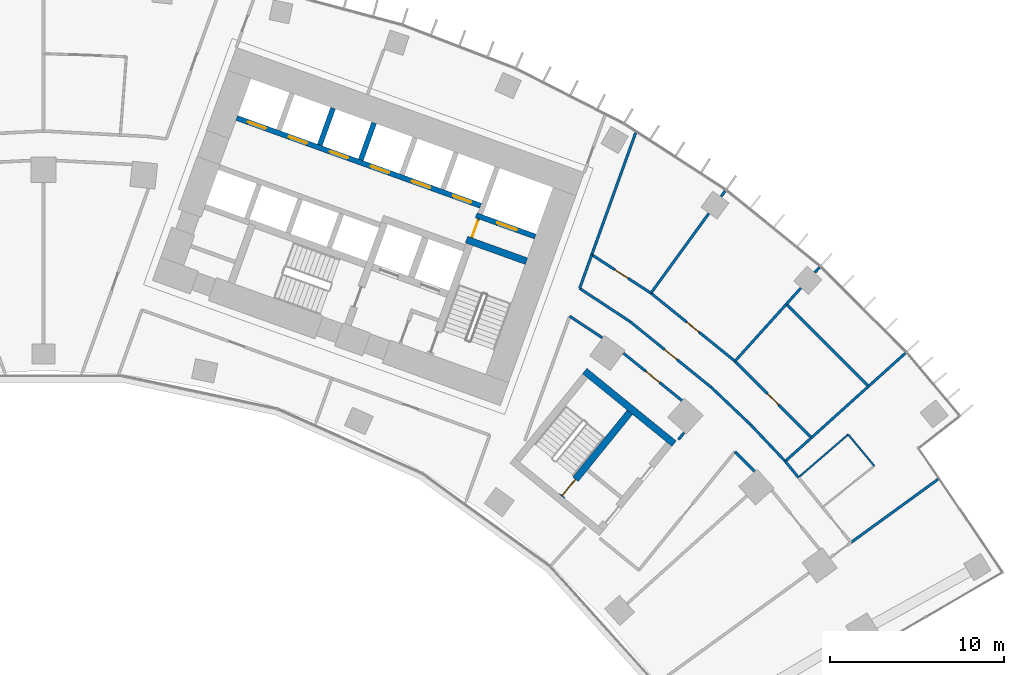
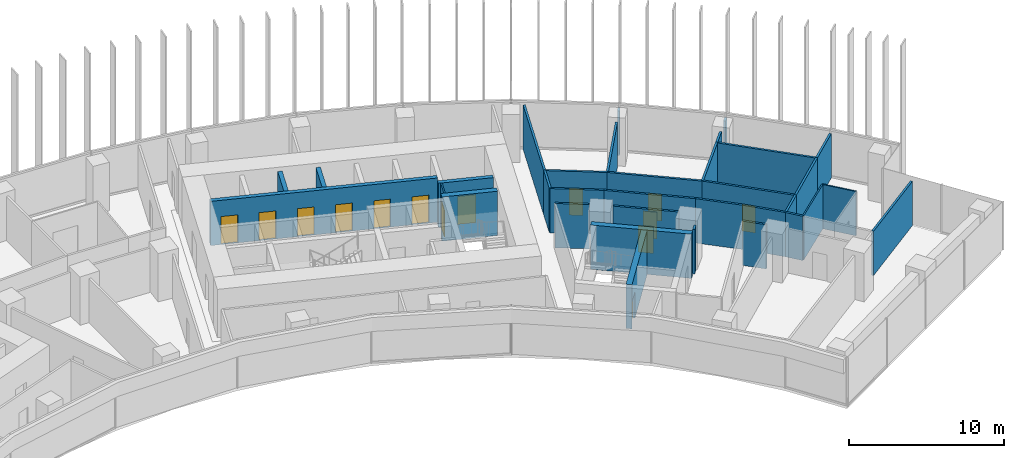
# One storey, part 19 of 22: 34 walls, 14 doors, 14 openings.
"""IFC4 building model written with IfcOpenShell, lengths in metres."""

from ifc_helpers import new_model, si_unit, direction, frame, frame_2d, origin, place, context, subcontext, project, spatial, rectangle, extrude, material, layer, layer_set, type_object, element, fill, save


model = new_model("IFC4")

# Units and contexts
model_context = context("Model", 3, precision=1e-05, world=origin(), true_north=direction((0.0, 1.0)))
body_context = subcontext(model_context, "Body", "Model", "MODEL_VIEW")
ifc_project = project(units=[si_unit("LENGTHUNIT", "METRE"), si_unit("AREAUNIT", "SQUARE_METRE"), si_unit("VOLUMEUNIT", "CUBIC_METRE"), si_unit("PLANEANGLEUNIT", "RADIAN"), si_unit("MASSUNIT", "GRAM", prefix="KILO")], contexts=[model_context])

# Site, building, storey
site_placement = place(None, origin())
site = spatial("IfcSite", under=ifc_project, at=site_placement, CompositionType="ELEMENT")
building_placement = place(site_placement, origin())
building = spatial("IfcBuilding", under=site, at=building_placement, Name="Stone Belt Terrace Tower", CompositionType="ELEMENT")
storey_placement = place(building_placement, frame((0.0, 0.0, 109.800048828125)))
storey = spatial("IfcBuildingStorey", under=building, at=storey_placement, Name="L26", CompositionType="ELEMENT", Elevation=109.800048828125)

# Wall, opening, door
ifc_material_1 = material(Name="Plasterboard partition")
ifc_layer_1 = layer(ifc_material_1, 0.10009765625)
ifc_layer_set_1 = layer_set([ifc_layer_1], Name="Core partition 100")
wall_type_1 = type_object("IfcWallType", Name="Core partition 100", PredefinedType="PARTITIONING", material=ifc_layer_set_1)
wall_1_placement = place(storey_placement, frame((24.555908203125, 51.10400390625, 0.0), z_axis=(0.0, 0.0, 1.0), x_axis=(0.338621735342, 0.94092258999, 0.0)))
wall_1 = element("IfcWall", 1, at=wall_1_placement, inside=storey, type_object=wall_type_1, Name="Core B wall", PredefinedType="PARTITIONING", context=body_context, shape_type="SweptSolid", body=[
    extrude(rectangle(XDim=1.14990234375, YDim=0.10009765625, at=frame_2d((0.574951171875, 0.0))), origin(), (0.0, 0.0, 1.0), 3.47998046875),
])
opening_1_placement = place(wall_1_placement, frame((0.050048828125, 0.0, 0.0)))
opening_1 = element("IfcOpeningElement", 2, at=opening_1_placement, cuts=wall_1, Name="Opening L26-C10", PredefinedType="OPENING", context=body_context, shape_type="SweptSolid", body=[
    extrude(rectangle(XDim=1.0, YDim=2.10009765625, at=frame_2d((0.5, 1.050048828125))), frame((0.0, 0.06005859375, 0.0), z_axis=(0.0, -1.0, 0.0), x_axis=(1.0, 0.0, 0.0)), (0.0, 0.0, 1.0), 0.1201171875),
])
ifc_material_2 = material(Name="Timber door leaf", Category="wood")
door_type_1 = type_object("IfcDoorType", Name="Core room door 1000", OperationType="SINGLE_SWING_LEFT", PredefinedType="DOOR", material=ifc_material_2)
door_1_placement = place(opening_1_placement, origin())
door_1 = element("IfcDoor", 3, at=door_1_placement, inside=storey, type_object=door_type_1, Name="Service lift lobby door core B", OperationType="SINGLE_SWING_RIGHT", OverallHeight=2.10009765625, OverallWidth=1.0, PredefinedType="DOOR", context=body_context, shape_type="SweptSolid", body=[
    extrude(rectangle(XDim=1.0, YDim=2.10009765625, at=frame_2d((0.5, 1.050048828125))), frame((0.0, 0.02490234375, 0.0), z_axis=(0.0, -1.0, 0.0), x_axis=(1.0, 0.0, 0.0)), (0.0, 0.0, 1.0), 0.050048828125),
])
fill(opening_1, door_1)

ifc_material_3 = material(Name="Concrete B80", Category="concrete")
ifc_layer_2 = layer(ifc_material_3, 0.300048828125)
ifc_layer_set_2 = layer_set([ifc_layer_2], Name="Lift shaft wall 300")
wall_type_2 = type_object("IfcWallType", Name="Lift shaft wall 300", PredefinedType="SHEAR", material=ifc_layer_set_2)
wall_2_placement = place(storey_placement, frame((28.195068359375, 51.17578125, 0.0), z_axis=(0.0, 0.0, 1.0), x_axis=(-0.940901243567, 0.338681044427, 0.0)))
wall_2 = element("IfcWall", 4, at=wall_2_placement, inside=storey, type_object=wall_type_2, Name="Core B wall", PredefinedType="SHEAR", context=body_context, shape_type="SweptSolid", body=[
    extrude(rectangle(XDim=3.599853515625, YDim=0.300048828125, at=frame_2d((1.7998046875, 0.0))), origin(), (0.0, 0.0, 1.0), 3.47998046875),
])
opening_2_placement = place(wall_2_placement, frame((1.1201171875, 0.0, 0.0)))
opening_2 = element("IfcOpeningElement", 5, at=opening_2_placement, cuts=wall_2, Name="Opening L26-LD18", PredefinedType="OPENING", context=body_context, shape_type="SweptSolid", body=[
    extrude(rectangle(XDim=1.199951171875, YDim=2.199951171875, at=frame_2d((0.60009765625, 1.10009765625))), frame((0.0, 0.159912109375, 0.0), z_axis=(0.0, -1.0, 0.0), x_axis=(1.0, 0.0, 0.0)), (0.0, 0.0, 1.0), 0.320068359375),
])
ifc_material_4 = material(Name="Stainless steel door leaf", Category="steel")
door_type_2 = type_object("IfcDoorType", Name="Landing door 1200", OperationType="SLIDING_TO_LEFT", PredefinedType="DOOR", material=ifc_material_4)
door_2_placement = place(opening_2_placement, origin())
door_2 = element("IfcDoor", 6, at=door_2_placement, inside=storey, type_object=door_type_2, Name="Landing door SV1 core B", OperationType="SLIDING_TO_LEFT", OverallHeight=2.199951171875, OverallWidth=1.199951171875, PredefinedType="DOOR", context=body_context, shape_type="SweptSolid", body=[
    extrude(rectangle(XDim=1.199951171875, YDim=2.199951171875, at=frame_2d((0.60009765625, 1.10009765625))), frame((0.0, 0.02490234375, 0.0), z_axis=(0.0, -1.0, 0.0), x_axis=(1.0, 0.0, 0.0)), (0.0, 0.0, 1.0), 0.050048828125),
])
fill(opening_2, door_2)

# Wall, openings, doors
wall_3_placement = place(storey_placement, frame((25.05810546875, 52.9423828125, 0.0), z_axis=(0.0, 0.0, 1.0), x_axis=(-0.940918215764, 0.338633889685, 0.0)))
wall_3 = element("IfcWall", 7, at=wall_3_placement, inside=storey, type_object=wall_type_2, Name="Core B wall", PredefinedType="SHEAR", context=body_context, shape_type="SweptSolid", body=[
    extrude(rectangle(XDim=14.850341796875, YDim=0.300048828125, at=frame_2d((7.42529296875, 0.0))), origin(), (0.0, 0.0, 1.0), 3.47998046875),
])
opening_3_placement = place(wall_3_placement, frame((0.570068359375, 0.0, 0.0)))
opening_3 = element("IfcOpeningElement", 8, at=opening_3_placement, cuts=wall_3, Name="Opening L26-LD10", PredefinedType="OPENING", context=body_context, shape_type="SweptSolid", body=[
    extrude(rectangle(XDim=1.10009765625, YDim=2.199951171875, at=frame_2d((0.550048828125, 1.10009765625))), frame((0.0, 0.159912109375, 0.0), z_axis=(0.0, -1.0, 0.0), x_axis=(1.0, 0.0, 0.0)), (0.0, 0.0, 1.0), 0.320068359375),
])
opening_4_placement = place(wall_3_placement, frame((3.070068359375, 0.0, 0.0)))
opening_4 = element("IfcOpeningElement", 9, at=opening_4_placement, cuts=wall_3, Name="Opening L26-LD11", PredefinedType="OPENING", context=body_context, shape_type="SweptSolid", body=[
    extrude(rectangle(XDim=1.10009765625, YDim=2.199951171875, at=frame_2d((0.550048828125, 1.10009765625))), frame((0.0, 0.159912109375, 0.0), z_axis=(0.0, -1.0, 0.0), x_axis=(1.0, 0.0, 0.0)), (0.0, 0.0, 1.0), 0.320068359375),
])
opening_5_placement = place(wall_3_placement, frame((5.570068359375, 0.0, 0.0)))
opening_5 = element("IfcOpeningElement", 10, at=opening_5_placement, cuts=wall_3, Name="Opening L26-LD12", PredefinedType="OPENING", context=body_context, shape_type="SweptSolid", body=[
    extrude(rectangle(XDim=1.10009765625, YDim=2.199951171875, at=frame_2d((0.550048828125, 1.10009765625))), frame((0.0, 0.159912109375, 0.0), z_axis=(0.0, -1.0, 0.0), x_axis=(1.0, 0.0, 0.0)), (0.0, 0.0, 1.0), 0.320068359375),
])
opening_6_placement = place(wall_3_placement, frame((8.070068359375, 0.0, 0.0)))
opening_6 = element("IfcOpeningElement", 11, at=opening_6_placement, cuts=wall_3, Name="Opening L26-LD13", PredefinedType="OPENING", context=body_context, shape_type="SweptSolid", body=[
    extrude(rectangle(XDim=1.10009765625, YDim=2.199951171875, at=frame_2d((0.550048828125, 1.10009765625))), frame((0.0, 0.159912109375, 0.0), z_axis=(0.0, -1.0, 0.0), x_axis=(1.0, 0.0, 0.0)), (0.0, 0.0, 1.0), 0.320068359375),
])
opening_7_placement = place(wall_3_placement, frame((10.570068359375, 0.0, 0.0)))
opening_7 = element("IfcOpeningElement", 12, at=opening_7_placement, cuts=wall_3, Name="Opening L26-LD14", PredefinedType="OPENING", context=body_context, shape_type="SweptSolid", body=[
    extrude(rectangle(XDim=1.10009765625, YDim=2.199951171875, at=frame_2d((0.550048828125, 1.10009765625))), frame((0.0, 0.159912109375, 0.0), z_axis=(0.0, -1.0, 0.0), x_axis=(1.0, 0.0, 0.0)), (0.0, 0.0, 1.0), 0.320068359375),
])
opening_8_placement = place(wall_3_placement, frame((13.070068359375, 0.0, 0.0)))
opening_8 = element("IfcOpeningElement", 13, at=opening_8_placement, cuts=wall_3, Name="Opening L26-LD15", PredefinedType="OPENING", context=body_context, shape_type="SweptSolid", body=[
    extrude(rectangle(XDim=1.10009765625, YDim=2.199951171875, at=frame_2d((0.550048828125, 1.10009765625))), frame((0.0, 0.159912109375, 0.0), z_axis=(0.0, -1.0, 0.0), x_axis=(1.0, 0.0, 0.0)), (0.0, 0.0, 1.0), 0.320068359375),
])
door_type_3 = type_object("IfcDoorType", Name="Landing door 1100", OperationType="SLIDING_TO_LEFT", PredefinedType="DOOR", material=ifc_material_4)
door_3_placement = place(opening_3_placement, origin())
door_3 = element("IfcDoor", 14, at=door_3_placement, inside=storey, type_object=door_type_3, Name="Landing door LR1 core B", OperationType="SLIDING_TO_LEFT", OverallHeight=2.199951171875, OverallWidth=1.10009765625, PredefinedType="DOOR", context=body_context, shape_type="SweptSolid", body=[
    extrude(rectangle(XDim=1.10009765625, YDim=2.199951171875, at=frame_2d((0.550048828125, 1.10009765625))), frame((0.0, 0.02490234375, 0.0), z_axis=(0.0, -1.0, 0.0), x_axis=(1.0, 0.0, 0.0)), (0.0, 0.0, 1.0), 0.050048828125),
])
fill(opening_3, door_3)
door_4_placement = place(opening_4_placement, origin())
door_4 = element("IfcDoor", 15, at=door_4_placement, inside=storey, type_object=door_type_3, Name="Landing door LR2 core B", OperationType="SLIDING_TO_LEFT", OverallHeight=2.199951171875, OverallWidth=1.10009765625, PredefinedType="DOOR", context=body_context, shape_type="SweptSolid", body=[
    extrude(rectangle(XDim=1.10009765625, YDim=2.199951171875, at=frame_2d((0.550048828125, 1.10009765625))), frame((0.0, 0.02490234375, 0.0), z_axis=(0.0, -1.0, 0.0), x_axis=(1.0, 0.0, 0.0)), (0.0, 0.0, 1.0), 0.050048828125),
])
fill(opening_4, door_4)
door_5_placement = place(opening_5_placement, origin())
door_5 = element("IfcDoor", 16, at=door_5_placement, inside=storey, type_object=door_type_3, Name="Landing door LR3 core B", OperationType="SLIDING_TO_LEFT", OverallHeight=2.199951171875, OverallWidth=1.10009765625, PredefinedType="DOOR", context=body_context, shape_type="SweptSolid", body=[
    extrude(rectangle(XDim=1.10009765625, YDim=2.199951171875, at=frame_2d((0.550048828125, 1.10009765625))), frame((0.0, 0.02490234375, 0.0), z_axis=(0.0, -1.0, 0.0), x_axis=(1.0, 0.0, 0.0)), (0.0, 0.0, 1.0), 0.050048828125),
])
fill(opening_5, door_5)
door_6_placement = place(opening_6_placement, origin())
door_6 = element("IfcDoor", 17, at=door_6_placement, inside=storey, type_object=door_type_3, Name="Landing door LR4 core B", OperationType="SLIDING_TO_LEFT", OverallHeight=2.199951171875, OverallWidth=1.10009765625, PredefinedType="DOOR", context=body_context, shape_type="SweptSolid", body=[
    extrude(rectangle(XDim=1.10009765625, YDim=2.199951171875, at=frame_2d((0.550048828125, 1.10009765625))), frame((0.0, 0.02490234375, 0.0), z_axis=(0.0, -1.0, 0.0), x_axis=(1.0, 0.0, 0.0)), (0.0, 0.0, 1.0), 0.050048828125),
])
fill(opening_6, door_6)
door_7_placement = place(opening_7_placement, origin())
door_7 = element("IfcDoor", 18, at=door_7_placement, inside=storey, type_object=door_type_3, Name="Landing door LR5 core B", OperationType="SLIDING_TO_LEFT", OverallHeight=2.199951171875, OverallWidth=1.10009765625, PredefinedType="DOOR", context=body_context, shape_type="SweptSolid", body=[
    extrude(rectangle(XDim=1.10009765625, YDim=2.199951171875, at=frame_2d((0.550048828125, 1.10009765625))), frame((0.0, 0.02490234375, 0.0), z_axis=(0.0, -1.0, 0.0), x_axis=(1.0, 0.0, 0.0)), (0.0, 0.0, 1.0), 0.050048828125),
])
fill(opening_7, door_7)
door_8_placement = place(opening_8_placement, origin())
door_8 = element("IfcDoor", 19, at=door_8_placement, inside=storey, type_object=door_type_3, Name="Landing door LR6 core B", OperationType="SLIDING_TO_LEFT", OverallHeight=2.199951171875, OverallWidth=1.10009765625, PredefinedType="DOOR", context=body_context, shape_type="SweptSolid", body=[
    extrude(rectangle(XDim=1.10009765625, YDim=2.199951171875, at=frame_2d((0.550048828125, 1.10009765625))), frame((0.0, 0.02490234375, 0.0), z_axis=(0.0, -1.0, 0.0), x_axis=(1.0, 0.0, 0.0)), (0.0, 0.0, 1.0), 0.050048828125),
])
fill(opening_8, door_8)

# Walls
wall_4_placement = place(storey_placement, frame((18.193115234375, 55.572509765625, 0.0), z_axis=(0.0, 0.0, 1.0), x_axis=(0.338535034312, 0.940953787677, 0.0)))
element("IfcWall", 20, at=wall_4_placement, inside=storey, type_object=wall_type_2, Name="Core B wall", PredefinedType="SHEAR", context=body_context, shape_type="SweptSolid", body=[
    extrude(rectangle(XDim=2.25, YDim=0.300048828125, at=frame_2d((1.125, 0.0))), origin(), (0.0, 0.0, 1.0), 3.47998046875),
])
wall_5_placement = place(storey_placement, frame((15.8408203125, 56.419189453125, 0.0), z_axis=(0.0, 0.0, 1.0), x_axis=(0.338569601369, 0.940941350472, 0.0)))
element("IfcWall", 21, at=wall_5_placement, inside=storey, type_object=wall_type_2, Name="Core B wall", PredefinedType="SHEAR", context=body_context, shape_type="SweptSolid", body=[
    extrude(rectangle(XDim=2.249755859375, YDim=0.300048828125, at=frame_2d((1.125, 0.0))), origin(), (0.0, 0.0, 1.0), 3.47998046875),
])
ifc_material_5 = material(Name="Gypsum board partition")
ifc_layer_3 = layer(ifc_material_5, 0.10009765625)
ifc_layer_set_3 = layer_set([ifc_layer_3], Name="PARTITION 100")
wall_type_3 = type_object("IfcWallType", Name="PARTITION 100", PredefinedType="PARTITIONING", material=ifc_layer_set_3)
wall_6_placement = place(storey_placement, frame((47.6259765625, 38.029052734375, 0.0), z_axis=(0.0, 0.0, 1.0), x_axis=(-0.638805581323, 0.769368201364, 0.0)))
element("IfcWall", 22, at=wall_6_placement, inside=storey, type_object=wall_type_3, Name="L26/wall/i081", PredefinedType="PARTITIONING", context=body_context, shape_type="SweptSolid", body=[
    extrude(rectangle(XDim=2.33544921875, YDim=0.10009765625, at=frame_2d((1.167724609375, 0.0))), origin(), (0.0, 0.0, 1.0), 3.47998046875),
])
wall_7_placement = place(storey_placement, frame((46.134033203125, 39.825927734375, 0.0), z_axis=(0.0, 0.0, 1.0), x_axis=(-0.757058777307, -0.653346774464, 0.0)))
element("IfcWall", 23, at=wall_7_placement, inside=storey, type_object=wall_type_3, Name="L26/wall/i082", PredefinedType="PARTITIONING", context=body_context, shape_type="SweptSolid", body=[
    extrude(rectangle(XDim=3.771240234375, YDim=0.10009765625, at=frame_2d((1.8857421875, 0.0))), origin(), (0.0, 0.0, 1.0), 3.47998046875),
])
ifc_layer_4 = layer(ifc_material_5, 0.14990234375)
ifc_layer_set_4 = layer_set([ifc_layer_4], Name="PARTITION 150 EI 60")
wall_type_4 = type_object("IfcWallType", Name="PARTITION 150 EI 60", PredefinedType="PARTITIONING", material=ifc_layer_set_4)
wall_8_placement = place(storey_placement, frame((31.43603515625, 50.139892578125, 0.0), z_axis=(0.0, 0.0, 1.0), x_axis=(-0.338522672426, -0.940958235127, 0.0)))
element("IfcWall", 24, at=wall_8_placement, inside=storey, type_object=wall_type_4, Name="L26/wall/i022", PredefinedType="PARTITIONING", context=body_context, shape_type="SweptSolid", body=[
    extrude(rectangle(XDim=2.064697265625, YDim=0.14990234375, at=frame_2d((1.0322265625, 0.0))), origin(), (0.0, 0.0, 1.0), 3.47998046875),
])
wall_9_placement = place(storey_placement, frame((33.951904296875, 57.131103515625, 0.0), z_axis=(0.0, 0.0, 1.0), x_axis=(-0.338585885873, -0.940935490822, 0.0)))
element("IfcWall", 25, at=wall_9_placement, inside=storey, type_object=wall_type_4, Name="L26/wall/i023", PredefinedType="PARTITIONING", context=body_context, shape_type="SweptSolid", body=[
    extrude(rectangle(XDim=7.44287109375, YDim=0.14990234375, at=frame_2d((3.721435546875, 0.0))), origin(), (0.0, 0.0, 1.0), 3.47998046875),
])
wall_10_placement = place(storey_placement, frame((46.291015625, 33.632080078125, 0.0), z_axis=(0.0, 0.0, 1.0), x_axis=(0.809007988274, 0.587797647927, 0.0)))
element("IfcWall", 26, at=wall_10_placement, inside=storey, type_object=wall_type_4, Name="L26/wall/i052", PredefinedType="PARTITIONING", context=body_context, shape_type="SweptSolid", body=[
    extrude(rectangle(XDim=6.171630859375, YDim=0.14990234375, at=frame_2d((3.0859375, 0.0))), origin(), (0.0, 0.0, 1.0), 3.47998046875),
])

# Wall, opening, door
wall_11_placement = place(storey_placement, frame((36.599365234375, 41.77587890625, 0.0), z_axis=(0.0, 0.0, 1.0), x_axis=(-0.777153738144, 0.62931078752, 0.0)))
wall_11 = element("IfcWall", 27, at=wall_11_placement, inside=storey, type_object=wall_type_4, Name="L26/wall/i053", PredefinedType="PARTITIONING", context=body_context, shape_type="SweptSolid", body=[
    extrude(rectangle(XDim=4.30517578125, YDim=0.14990234375, at=frame_2d((2.152587890625, 0.0))), origin(), (0.0, 0.0, 1.0), 3.47998046875),
])
opening_9_placement = place(wall_11_placement, frame((1.652587890625, 0.0, 0.0)))
opening_9 = element("IfcOpeningElement", 28, at=opening_9_placement, cuts=wall_11, Name="Opening D-B3-17", PredefinedType="OPENING", context=body_context, shape_type="SweptSolid", body=[
    extrude(rectangle(XDim=1.0, YDim=2.10009765625, at=frame_2d((0.5, 1.050048828125))), frame((0.0, 0.0849609375, 0.0), z_axis=(0.0, -1.0, 0.0), x_axis=(1.0, 0.0, 0.0)), (0.0, 0.0, 1.0), 0.169921875),
])
ifc_material_6 = material(Name="Timber fire door leaf", Category="wood")
door_type_4 = type_object("IfcDoorType", Name="TENANCY ENTRANCE DOOR 1000 X 2100", OperationType="NOTDEFINED", PredefinedType="DOOR", material=ifc_material_6)
door_9_placement = place(opening_9_placement, origin())
door_9 = element("IfcDoor", 29, at=door_9_placement, inside=storey, type_object=door_type_4, Name="L26/door/i17", OperationType="SINGLE_SWING_RIGHT", OverallHeight=2.10009765625, OverallWidth=1.0, PredefinedType="DOOR", context=body_context, shape_type="SweptSolid", body=[
    extrude(rectangle(XDim=1.0, YDim=2.10009765625, at=frame_2d((0.5, 1.050048828125))), frame((0.0, 0.02490234375, 0.0), z_axis=(0.0, -1.0, 0.0), x_axis=(1.0, 0.0, 0.0)), (0.0, 0.0, 1.0), 0.050048828125),
])
fill(opening_9, door_9)

# Walls
wall_12_placement = place(storey_placement, frame((32.03466796875, 45.37646484375, 0.0), z_axis=(0.0, 0.0, 1.0), x_axis=(-0.835456606052, 0.549556420583, 0.0)))
element("IfcWall", 30, at=wall_12_placement, inside=storey, type_object=wall_type_4, Name="L26/wall/i054", PredefinedType="PARTITIONING", context=body_context, shape_type="SweptSolid", body=[
    extrude(rectangle(XDim=2.239013671875, YDim=0.14990234375, at=frame_2d((1.11962890625, 0.0))), origin(), (0.0, 0.0, 1.0), 3.47998046875),
])
wall_13_placement = place(storey_placement, frame((30.739013671875, 48.202880859375, 0.0), z_axis=(0.0, 0.0, 1.0), x_axis=(0.835274160171, -0.549833681535, 0.0)))
element("IfcWall", 31, at=wall_13_placement, inside=storey, type_object=wall_type_4, Name="L26/wall/i055", PredefinedType="PARTITIONING", context=body_context, shape_type="SweptSolid", body=[
    extrude(rectangle(XDim=3.46826171875, YDim=0.14990234375, at=frame_2d((1.734130859375, 0.0))), origin(), (0.0, 0.0, 1.0), 3.47998046875),
])

# Wall, opening, door
wall_14_placement = place(storey_placement, frame((33.635986328125, 46.2958984375, 0.0), z_axis=(0.0, 0.0, 1.0), x_axis=(0.777109127033, -0.629365875054, 0.0)))
wall_14 = element("IfcWall", 32, at=wall_14_placement, inside=storey, type_object=wall_type_4, Name="L26/wall/i056", PredefinedType="PARTITIONING", context=body_context, shape_type="SweptSolid", body=[
    extrude(rectangle(XDim=5.990234375, YDim=0.14990234375, at=frame_2d((2.9951171875, 0.0))), origin(), (0.0, 0.0, 1.0), 3.47998046875),
])
opening_10_placement = place(wall_14_placement, frame((2.545166015625, 0.0, 0.0)))
opening_10 = element("IfcOpeningElement", 33, at=opening_10_placement, cuts=wall_14, Name="Opening D-B3-20", PredefinedType="OPENING", context=body_context, shape_type="SweptSolid", body=[
    extrude(rectangle(XDim=0.89990234375, YDim=2.10009765625, at=frame_2d((0.449951171875, 1.050048828125))), frame((0.0, 0.0849609375, 0.0), z_axis=(0.0, -1.0, 0.0), x_axis=(1.0, 0.0, 0.0)), (0.0, 0.0, 1.0), 0.169921875),
])
door_type_5 = type_object("IfcDoorType", Name="OFFICE DOOR 900 X 2100", OperationType="NOTDEFINED", PredefinedType="DOOR", material=ifc_material_2)
door_10_placement = place(opening_10_placement, origin())
door_10 = element("IfcDoor", 34, at=door_10_placement, inside=storey, type_object=door_type_5, Name="L26/door/i20", OperationType="SINGLE_SWING_RIGHT", OverallHeight=2.10009765625, OverallWidth=0.89990234375, PredefinedType="DOOR", context=body_context, shape_type="SweptSolid", body=[
    extrude(rectangle(XDim=0.89990234375, YDim=2.10009765625, at=frame_2d((0.449951171875, 1.050048828125))), frame((0.0, 0.02490234375, 0.0), z_axis=(0.0, -1.0, 0.0), x_axis=(1.0, 0.0, 0.0)), (0.0, 0.0, 1.0), 0.050048828125),
])
fill(opening_10, door_10)

# Walls
wall_15_placement = place(storey_placement, frame((38.291015625, 42.52587890625, 0.0), z_axis=(0.0, 0.0, 1.0), x_axis=(0.724835843729, -0.688921620829, 0.0)))
element("IfcWall", 35, at=wall_15_placement, inside=storey, type_object=wall_type_4, Name="L26/wall/i057", PredefinedType="PARTITIONING", context=body_context, shape_type="SweptSolid", body=[
    extrude(rectangle(XDim=3.093017578125, YDim=0.14990234375, at=frame_2d((1.54638671875, 0.0))), origin(), (0.0, 0.0, 1.0), 3.47998046875),
])
wall_16_placement = place(storey_placement, frame((40.765625, 37.721435546875, 0.0), z_axis=(0.0, 0.0, 1.0), x_axis=(-0.707106781187, 0.707106781187, 0.0)))
element("IfcWall", 36, at=wall_16_placement, inside=storey, type_object=wall_type_4, Name="L26/wall/i058", PredefinedType="PARTITIONING", context=body_context, shape_type="SweptSolid", body=[
    extrude(rectangle(XDim=1.587646484375, YDim=0.14990234375, at=frame_2d((0.7939453125, 0.0))), origin(), (0.0, 0.0, 1.0), 3.47998046875),
])
wall_17_placement = place(storey_placement, frame((40.532958984375, 40.39501953125, 0.0), z_axis=(0.0, 0.0, 1.0), x_axis=(0.687681554755, -0.726012451167, 0.0)))
element("IfcWall", 37, at=wall_17_placement, inside=storey, type_object=wall_type_4, Name="L26/wall/i060", PredefinedType="PARTITIONING", context=body_context, shape_type="SweptSolid", body=[
    extrude(rectangle(XDim=2.89794921875, YDim=0.14990234375, at=frame_2d((1.448974609375, 0.0))), origin(), (0.0, 0.0, 1.0), 3.47998046875),
])
wall_18_placement = place(storey_placement, frame((42.527099609375, 38.2900390625, 0.0), z_axis=(0.0, 0.0, 1.0), x_axis=(0.628952429946, -0.777443786305, 0.0)))
element("IfcWall", 38, at=wall_18_placement, inside=storey, type_object=wall_type_4, Name="L26/wall/i061", PredefinedType="PARTITIONING", context=body_context, shape_type="SweptSolid", body=[
    extrude(rectangle(XDim=1.2001953125, YDim=0.14990234375, at=frame_2d((0.60009765625, 0.0))), origin(), (0.0, 0.0, 1.0), 3.47998046875),
])
wall_19_placement = place(storey_placement, frame((36.406005859375, 39.537109375, 0.0), z_axis=(0.0, 0.0, 1.0), x_axis=(0.630355285391, 0.776306778393, 0.0)))
element("IfcWall", 39, at=wall_19_placement, inside=storey, type_object=wall_type_4, Name="L26/wall/i064", PredefinedType="PARTITIONING", context=body_context, shape_type="SweptSolid", body=[
    extrude(rectangle(XDim=0.50341796875, YDim=0.14990234375, at=frame_2d((0.251708984375, 0.0))), origin(), (0.0, 0.0, 1.0), 3.47998046875),
])

# Wall, opening, door
wall_20_placement = place(storey_placement, frame((31.43408203125, 50.134033203125, 0.0), z_axis=(0.0, 0.0, 1.0), x_axis=(0.838660143757, -0.544655086521, 0.0)))
wall_20 = element("IfcWall", 40, at=wall_20_placement, inside=storey, type_object=wall_type_4, Name="L26/wall/i068", PredefinedType="PARTITIONING", context=body_context, shape_type="SweptSolid", body=[
    extrude(rectangle(XDim=4.043212890625, YDim=0.14990234375, at=frame_2d((2.021484375, 0.0))), origin(), (0.0, 0.0, 1.0), 3.47998046875),
])
opening_11_placement = place(wall_20_placement, frame((1.571533203125, 0.0, 0.0)))
opening_11 = element("IfcOpeningElement", 41, at=opening_11_placement, cuts=wall_20, Name="Opening D-B3-21", PredefinedType="OPENING", context=body_context, shape_type="SweptSolid", body=[
    extrude(rectangle(XDim=0.89990234375, YDim=2.10009765625, at=frame_2d((0.449951171875, 1.050048828125))), frame((0.0, 0.0849609375, 0.0), z_axis=(0.0, -1.0, 0.0), x_axis=(1.0, 0.0, 0.0)), (0.0, 0.0, 1.0), 0.169921875),
])
door_11_placement = place(opening_11_placement, origin())
door_11 = element("IfcDoor", 42, at=door_11_placement, inside=storey, type_object=door_type_5, Name="L26/door/i21", OperationType="SINGLE_SWING_RIGHT", OverallHeight=2.10009765625, OverallWidth=0.89990234375, PredefinedType="DOOR", context=body_context, shape_type="SweptSolid", body=[
    extrude(rectangle(XDim=0.89990234375, YDim=2.10009765625, at=frame_2d((0.449951171875, 1.050048828125))), frame((0.0, 0.02490234375, 0.0), z_axis=(0.0, -1.0, 0.0), x_axis=(1.0, 0.0, 0.0)), (0.0, 0.0, 1.0), 0.050048828125),
])
fill(opening_11, door_11)

wall_21_placement = place(storey_placement, frame((34.824951171875, 47.931884765625, 0.0), z_axis=(0.0, 0.0, 1.0), x_axis=(0.777190769916, -0.629265053184, 0.0)))
wall_21 = element("IfcWall", 43, at=wall_21_placement, inside=storey, type_object=wall_type_4, Name="L26/wall/i069", PredefinedType="PARTITIONING", context=body_context, shape_type="SweptSolid", body=[
    extrude(rectangle(XDim=6.20068359375, YDim=0.14990234375, at=frame_2d((3.100341796875, 0.0))), origin(), (0.0, 0.0, 1.0), 3.47998046875),
])
opening_12_placement = place(wall_21_placement, frame((2.650390625, 0.0, 0.0)))
opening_12 = element("IfcOpeningElement", 44, at=opening_12_placement, cuts=wall_21, Name="Opening D-B3-22", PredefinedType="OPENING", context=body_context, shape_type="SweptSolid", body=[
    extrude(rectangle(XDim=0.89990234375, YDim=2.10009765625, at=frame_2d((0.449951171875, 1.050048828125))), frame((0.0, 0.0849609375, 0.0), z_axis=(0.0, -1.0, 0.0), x_axis=(1.0, 0.0, 0.0)), (0.0, 0.0, 1.0), 0.169921875),
])
door_12_placement = place(opening_12_placement, origin())
door_12 = element("IfcDoor", 45, at=door_12_placement, inside=storey, type_object=door_type_5, Name="L26/door/i22", OperationType="SINGLE_SWING_RIGHT", OverallHeight=2.10009765625, OverallWidth=0.89990234375, PredefinedType="DOOR", context=body_context, shape_type="SweptSolid", body=[
    extrude(rectangle(XDim=0.89990234375, YDim=2.10009765625, at=frame_2d((0.449951171875, 1.050048828125))), frame((0.0, 0.02490234375, 0.0), z_axis=(0.0, -1.0, 0.0), x_axis=(1.0, 0.0, 0.0)), (0.0, 0.0, 1.0), 0.050048828125),
])
fill(opening_12, door_12)

wall_22_placement = place(storey_placement, frame((39.639892578125, 44.033935546875, 0.0), z_axis=(0.0, 0.0, 1.0), x_axis=(0.707126447351, -0.707087114475, 0.0)))
wall_22 = element("IfcWall", 46, at=wall_22_placement, inside=storey, type_object=wall_type_4, Name="L26/wall/i070", PredefinedType="PARTITIONING", context=body_context, shape_type="SweptSolid", body=[
    extrude(rectangle(XDim=6.20703125, YDim=0.14990234375, at=frame_2d((3.103515625, 0.0))), origin(), (0.0, 0.0, 1.0), 3.47998046875),
])
opening_13_placement = place(wall_22_placement, frame((2.653564453125, 0.0, 0.0)))
opening_13 = element("IfcOpeningElement", 47, at=opening_13_placement, cuts=wall_22, Name="Opening D-B3-23", PredefinedType="OPENING", context=body_context, shape_type="SweptSolid", body=[
    extrude(rectangle(XDim=0.89990234375, YDim=2.10009765625, at=frame_2d((0.449951171875, 1.050048828125))), frame((0.0, 0.0849609375, 0.0), z_axis=(0.0, -1.0, 0.0), x_axis=(1.0, 0.0, 0.0)), (0.0, 0.0, 1.0), 0.169921875),
])
door_13_placement = place(opening_13_placement, origin())
door_13 = element("IfcDoor", 48, at=door_13_placement, inside=storey, type_object=door_type_5, Name="L26/door/i23", OperationType="SINGLE_SWING_RIGHT", OverallHeight=2.10009765625, OverallWidth=0.89990234375, PredefinedType="DOOR", context=body_context, shape_type="SweptSolid", body=[
    extrude(rectangle(XDim=0.89990234375, YDim=2.10009765625, at=frame_2d((0.449951171875, 1.050048828125))), frame((0.0, 0.02490234375, 0.0), z_axis=(0.0, -1.0, 0.0), x_axis=(1.0, 0.0, 0.0)), (0.0, 0.0, 1.0), 0.050048828125),
])
fill(opening_13, door_13)

# Walls
wall_23_placement = place(storey_placement, frame((44.029052734375, 39.64501953125, 0.0), z_axis=(0.0, 0.0, 1.0), x_axis=(-0.743012054614, -0.669278033927, 0.0)))
element("IfcWall", 49, at=wall_23_placement, inside=storey, type_object=wall_type_4, Name="L26/wall/i071", PredefinedType="PARTITIONING", context=body_context, shape_type="SweptSolid", body=[
    extrude(rectangle(XDim=2.023193359375, YDim=0.14990234375, at=frame_2d((1.01171875, 0.0))), origin(), (0.0, 0.0, 1.0), 3.47998046875),
])
wall_24_placement = place(storey_placement, frame((39.087890625, 53.7998046875, 0.0), z_axis=(0.0, 0.0, 1.0), x_axis=(-0.588207421816, -0.808710101904, 0.0)))
element("IfcWall", 50, at=wall_24_placement, inside=storey, type_object=wall_type_4, Name="L26/wall/i072", PredefinedType="PARTITIONING", context=body_context, shape_type="SweptSolid", body=[
    extrude(rectangle(XDim=0.40625, YDim=0.14990234375, at=frame_2d((0.203125, 0.0))), origin(), (0.0, 0.0, 1.0), 3.47998046875),
])
wall_25_placement = place(storey_placement, frame((38.1376953125, 52.4921875, 0.0), z_axis=(0.0, 0.0, 1.0), x_axis=(-0.587726060758, -0.809059996234, 0.0)))
element("IfcWall", 51, at=wall_25_placement, inside=storey, type_object=wall_type_4, Name="L26/wall/i073", PredefinedType="PARTITIONING", context=body_context, shape_type="SweptSolid", body=[
    extrude(rectangle(XDim=5.636474609375, YDim=0.14990234375, at=frame_2d((2.818359375, 0.0))), origin(), (0.0, 0.0, 1.0), 3.47998046875),
])
wall_26_placement = place(storey_placement, frame((42.592041015625, 47.303955078125, 0.0), z_axis=(0.0, 0.0, 1.0), x_axis=(-0.669148410698, -0.743128793992, 0.0)))
element("IfcWall", 52, at=wall_26_placement, inside=storey, type_object=wall_type_4, Name="L26/wall/i074", PredefinedType="PARTITIONING", context=body_context, shape_type="SweptSolid", body=[
    extrude(rectangle(XDim=4.405517578125, YDim=0.14990234375, at=frame_2d((2.20263671875, 0.0))), origin(), (0.0, 0.0, 1.0), 3.47998046875),
])
wall_27_placement = place(storey_placement, frame((44.496826171875, 49.419189453125, 0.0), z_axis=(0.0, 0.0, 1.0), x_axis=(-0.669463057056, -0.742845350821, 0.0)))
element("IfcWall", 53, at=wall_27_placement, inside=storey, type_object=wall_type_4, Name="L26/wall/i075", PredefinedType="PARTITIONING", context=body_context, shape_type="SweptSolid", body=[
    extrude(rectangle(XDim=0.406005859375, YDim=0.14990234375, at=frame_2d((0.203125, 0.0))), origin(), (0.0, 0.0, 1.0), 3.47998046875),
])
wall_28_placement = place(storey_placement, frame((43.415283203125, 48.218505859375, 0.0), z_axis=(0.0, 0.0, 1.0), x_axis=(-0.669388214241, -0.742912793426, 0.0)))
element("IfcWall", 54, at=wall_28_placement, inside=storey, type_object=wall_type_4, Name="L26/wall/i076", PredefinedType="PARTITIONING", context=body_context, shape_type="SweptSolid", body=[
    extrude(rectangle(XDim=1.241943359375, YDim=0.14990234375, at=frame_2d((0.62109375, 0.0))), origin(), (0.0, 0.0, 1.0), 3.47998046875),
])
wall_29_placement = place(storey_placement, frame((42.587890625, 47.300048828125, 0.0), z_axis=(0.0, 0.0, 1.0), x_axis=(0.7071251031, -0.707088458798, 0.0)))
element("IfcWall", 55, at=wall_29_placement, inside=storey, type_object=wall_type_4, Name="L26/wall/i077", PredefinedType="PARTITIONING", context=body_context, shape_type="SweptSolid", body=[
    extrude(rectangle(XDim=6.662353515625, YDim=0.14990234375, at=frame_2d((3.3310546875, 0.0))), origin(), (0.0, 0.0, 1.0), 3.47998046875),
])
wall_30_placement = place(storey_placement, frame((47.299072265625, 42.589111328125, 0.0), z_axis=(0.0, 0.0, 1.0), x_axis=(-0.743172740326, -0.669099602478, 0.0)))
element("IfcWall", 56, at=wall_30_placement, inside=storey, type_object=wall_type_4, Name="L26/wall/i078", PredefinedType="PARTITIONING", context=body_context, shape_type="SweptSolid", body=[
    extrude(rectangle(XDim=4.400146484375, YDim=0.14990234375, at=frame_2d((2.2001953125, 0.0))), origin(), (0.0, 0.0, 1.0), 3.47998046875),
])
wall_31_placement = place(storey_placement, frame((49.41943359375, 44.496826171875, 0.0), z_axis=(0.0, 0.0, 1.0), x_axis=(-0.743400540609, -0.668846496755, 0.0)))
element("IfcWall", 57, at=wall_31_placement, inside=storey, type_object=wall_type_4, Name="L26/wall/i079", PredefinedType="PARTITIONING", context=body_context, shape_type="SweptSolid", body=[
    extrude(rectangle(XDim=2.852294921875, YDim=0.14990234375, at=frame_2d((1.42626953125, 0.0))), origin(), (0.0, 0.0, 1.0), 3.47998046875),
])
ifc_layer_5 = layer(ifc_material_3, 0.39990234375)
ifc_layer_set_5 = layer_set([ifc_layer_5], Name="Stair enclosure wall 400")
wall_type_5 = type_object("IfcWallType", Name="Stair enclosure wall 400", PredefinedType="SHEAR", material=ifc_layer_set_5)
wall_32_placement = place(storey_placement, frame((27.687255859375, 49.764404296875, 0.0), z_axis=(0.0, 0.0, 1.0), x_axis=(-0.940918954884, 0.338631835981, 0.0)))
element("IfcWall", 58, at=wall_32_placement, inside=storey, type_object=wall_type_5, Name="Core B wall", PredefinedType="SHEAR", context=body_context, shape_type="SweptSolid", body=[
    extrude(rectangle(XDim=3.650146484375, YDim=0.39990234375, at=frame_2d((1.8251953125, 0.0))), origin(), (0.0, 0.0, 1.0), 3.47998046875),
])
wall_33_placement = place(storey_placement, frame((31.02783203125, 43.46337890625, 0.0), z_axis=(0.0, 0.0, 1.0), x_axis=(0.776413760801, -0.630223509589, 0.0)))
element("IfcWall", 59, at=wall_33_placement, inside=storey, type_object=wall_type_5, Name="Exit stair ST3B wall", PredefinedType="SHEAR", context=body_context, shape_type="SweptSolid", body=[
    extrude(rectangle(XDim=6.599853515625, YDim=0.39990234375, at=frame_2d((3.2998046875, 0.0))), origin(), (0.0, 0.0, 1.0), 3.47998046875),
])

# Wall, opening, door
wall_34_placement = place(storey_placement, frame((29.7119140625, 36.288330078125, 0.0), z_axis=(0.0, 0.0, 1.0), x_axis=(0.630192283849, 0.776439106033, 0.0)))
wall_34 = element("IfcWall", 60, at=wall_34_placement, inside=storey, type_object=wall_type_5, Name="Exit stair ST3B wall", PredefinedType="SHEAR", context=body_context, shape_type="SweptSolid", body=[
    extrude(rectangle(XDim=6.199951171875, YDim=0.39990234375, at=frame_2d((3.10009765625, 0.0))), origin(), (0.0, 0.0, 1.0), 3.47998046875),
])
opening_14_placement = place(wall_34_placement, frame((0.050048828125, 0.0, 0.0)))
opening_14 = element("IfcOpeningElement", 61, at=opening_14_placement, cuts=wall_34, Name="Opening L26-C22", PredefinedType="OPENING", context=body_context, shape_type="SweptSolid", body=[
    extrude(rectangle(XDim=1.199951171875, YDim=2.10009765625, at=frame_2d((0.60009765625, 1.050048828125))), frame((0.0, 0.2099609375, 0.0), z_axis=(0.0, -1.0, 0.0), x_axis=(1.0, 0.0, 0.0)), (0.0, 0.0, 1.0), 0.419921875),
])
ifc_material_7 = material(Name="Steel door leaf", Category="steel")
door_type_6 = type_object("IfcDoorType", Name="Stair door 1200", OperationType="SINGLE_SWING_LEFT", PredefinedType="DOOR", material=ifc_material_7)
door_14_placement = place(opening_14_placement, origin())
door_14 = element("IfcDoor", 62, at=door_14_placement, inside=storey, type_object=door_type_6, Name="Stair door ST3B", OperationType="SINGLE_SWING_RIGHT", OverallHeight=2.10009765625, OverallWidth=1.199951171875, PredefinedType="DOOR", context=body_context, shape_type="SweptSolid", body=[
    extrude(rectangle(XDim=1.199951171875, YDim=2.10009765625, at=frame_2d((0.60009765625, 1.050048828125))), frame((0.0, 0.02490234375, 0.0), z_axis=(0.0, -1.0, 0.0), x_axis=(1.0, 0.0, 0.0)), (0.0, 0.0, 1.0), 0.050048828125),
])
fill(opening_14, door_14)

save(model, "model.ifc")
